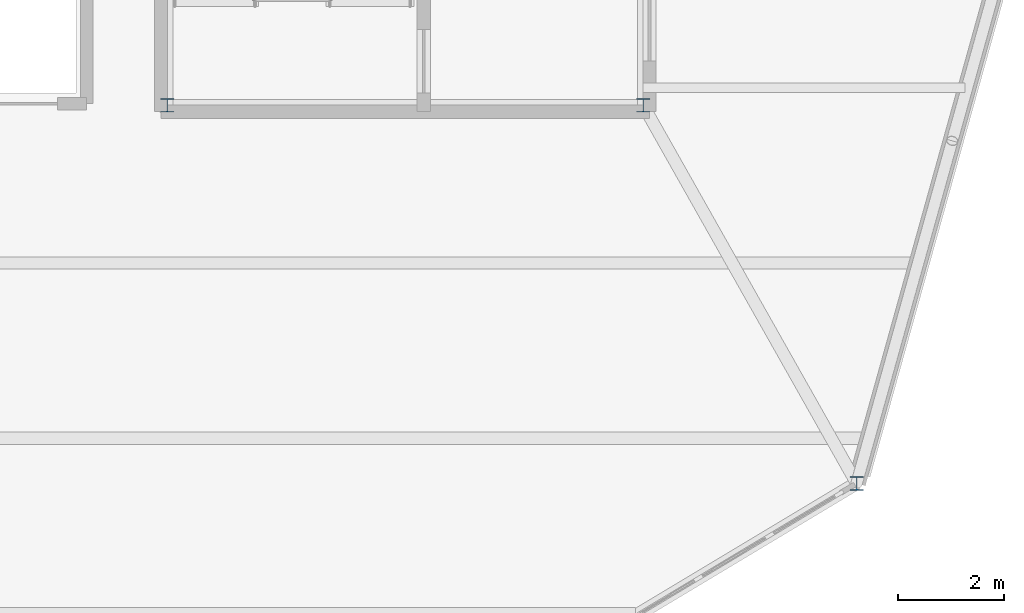
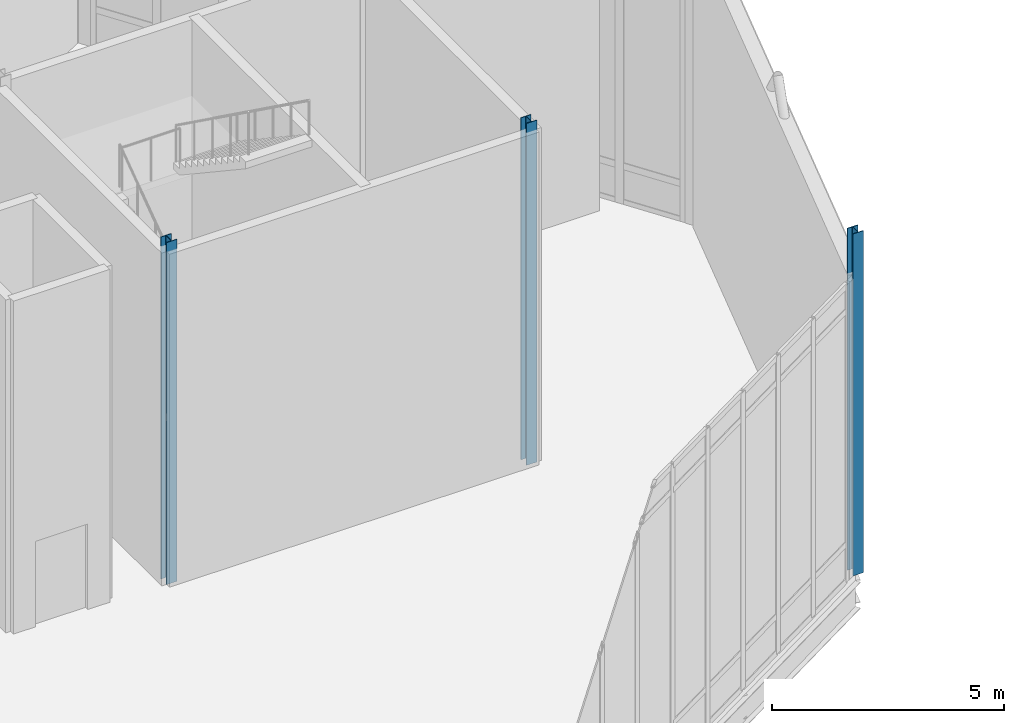
# One storey, part 6 of 66: 3 columns.
"""IFC4 building model written with IfcOpenShell, lengths in metres."""

import ifcopenshell
import ifcopenshell.guid

model = None  # the IFC model being written
_history = None  # IfcOwnerHistory: only IFC2X3 demands one
_inside = {}  # id of a spatial element -> (the spatial element, [elements in it])
_under = {}  # id of a project, library or spatial element -> (it, [spatial elements below it])
_declared = {}  # id of a project -> (the project, [libraries it declares])
_typed = {}  # id of a type object -> (the type object, [elements of that type])
_made_of = {}  # id of a material, layer set ... -> (it, [elements and type objects made of it])


def new_model(schema):
    """Start an empty IFC model of exactly this schema.

    Asked for "IFC4X3", IfcOpenShell would pick the latest addendum, in which some entities
    have other attributes; the version numbers below select the first issue.
    IFC2X3 requires an IfcOwnerHistory on every rooted entity: one is made here for all.
    """
    global model, _history
    if schema == "IFC4X3":
        model = ifcopenshell.file(schema_version=(4, 3, 0, 0))
    else:
        model = ifcopenshell.file(schema=schema)
    _inside.clear()
    _under.clear()
    _declared.clear()
    _typed.clear()
    _made_of.clear()
    _history = None
    if model.schema == "IFC2X3":
        org = make("IfcOrganization", Name="unknown")
        user = make(
            "IfcPersonAndOrganization",
            ThePerson=make("IfcPerson", FamilyName="unknown"),
            TheOrganization=org,
        )
        app = make(
            "IfcApplication",
            ApplicationDeveloper=org,
            Version="unknown",
            ApplicationFullName="unknown",
            ApplicationIdentifier="unknown",
        )
        _history = make(
            "IfcOwnerHistory",
            OwningUser=user,
            OwningApplication=app,
            ChangeAction="ADDED",
            CreationDate=0,
        )
    return model


def make(cls, **values):
    """One entity of the class cls with the attributes given. An attribute that is None is left unset."""
    return model.create_entity(
        cls, **{name: value for name, value in values.items() if value is not None}
    )


def rooted(cls, **values):
    """An entity with a GlobalId (a new one), such as an element, a storey or a relation."""
    return make(cls, GlobalId=ifcopenshell.guid.new(), OwnerHistory=_history, **values)


def si_unit(unit_type, name, prefix=None):
    """IfcSIUnit, for example si_unit("LENGTHUNIT", "METRE", prefix="MILLI")."""
    return make("IfcSIUnit", UnitType=unit_type, Prefix=prefix, Name=name)


def assignment(units):
    """IfcUnitAssignment: the units of a project."""
    return None if units is None else make("IfcUnitAssignment", Units=units)


def point(xyz):
    """IfcCartesianPoint."""
    return None if xyz is None else make("IfcCartesianPoint", Coordinates=xyz)


def direction(xyz):
    """IfcDirection."""
    return None if xyz is None else make("IfcDirection", DirectionRatios=xyz)


def frame(location, z_axis=None, x_axis=None):
    """IfcAxis2Placement3D, a coordinate frame: its origin and axes. An axis left out is left unset."""
    return make(
        "IfcAxis2Placement3D",
        Location=point(location),
        Axis=direction(z_axis),
        RefDirection=direction(x_axis),
    )


def frame_2d(location, x_axis=None):
    """IfcAxis2Placement2D, a coordinate frame in the plane: its origin and x axis."""
    return make(
        "IfcAxis2Placement2D", Location=point(location), RefDirection=direction(x_axis)
    )


def origin():
    """The frame at (0, 0, 0) with its axes left unset."""
    return frame((0.0, 0.0, 0.0))


def origin_2d():
    """The frame at (0, 0) in the plane with its x axis left unset."""
    return frame_2d((0.0, 0.0))


def place(relative_to, where):
    """IfcLocalPlacement: puts the frame where relative to a parent placement (None: the world)."""
    return make(
        "IfcLocalPlacement", PlacementRelTo=relative_to, RelativePlacement=where
    )


def context(
    kind, dimensions, precision=None, world=None, true_north=None, identifier=None
):
    """IfcGeometricRepresentationContext, for example the 3D "Model" context."""
    return make(
        "IfcGeometricRepresentationContext",
        ContextIdentifier=identifier,
        ContextType=kind,
        CoordinateSpaceDimension=dimensions,
        Precision=precision,
        WorldCoordinateSystem=world,
        TrueNorth=true_north,
    )


def subcontext(parent, identifier, kind, view, scale=None):
    """IfcGeometricRepresentationSubContext, for example "Body" below "Model"."""
    return make(
        "IfcGeometricRepresentationSubContext",
        ContextIdentifier=identifier,
        ContextType=kind,
        ParentContext=parent,
        TargetScale=scale,
        TargetView=view,
    )


def project(units=None, contexts=None):
    """IfcProject with its units and contexts."""
    return rooted(
        "IfcProject",
        Name="project",
        RepresentationContexts=contexts,
        UnitsInContext=assignment(units),
    )


def spatial(cls, under=None, at=None, **own):
    """A site, building, storey or space (cls), placed at a placement, below another one or the project."""
    s = rooted(cls, ObjectPlacement=at, **own)
    if under is not None:
        _under.setdefault(under.id(), (under, []))[1].append(s)
    return s


def profile(cls, at=None, kind="AREA", **sizes):
    """A parametric profile (cls). Its sizes go by their IFC names, for example OverallWidth=200.0."""
    return make(cls, ProfileType=kind, Position=at, **sizes)


def i_section(**sizes):
    """IfcIShapeProfileDef."""
    return profile("IfcIShapeProfileDef", **sizes)


def extrude(swept, where, along, depth):
    """IfcExtrudedAreaSolid: the profile swept, set in the frame where, extruded along a direction by depth."""
    return make(
        "IfcExtrudedAreaSolid",
        SweptArea=swept,
        Position=where,
        ExtrudedDirection=direction(along),
        Depth=depth,
    )


def shape(context_of_items, identifier, shape_type, items):
    """IfcShapeRepresentation: the items that make up one representation, for example the "Body"."""
    return make(
        "IfcShapeRepresentation",
        ContextOfItems=context_of_items,
        RepresentationIdentifier=identifier,
        RepresentationType=shape_type,
        Items=items,
    )


def material(Name=None, Category=None):
    """IfcMaterial."""
    return make("IfcMaterial", Name=Name, Category=Category)


def material_profile(
    of_material, cross_section, Name=None, Category=None, Priority=None
):
    """IfcMaterialProfile: a cross section and its material."""
    return make(
        "IfcMaterialProfile",
        Name=Name,
        Material=of_material,
        Profile=cross_section,
        Priority=Priority,
        Category=Category,
    )


def profile_set(profiles, Name=None, composite=None):
    """IfcMaterialProfileSet."""
    return make(
        "IfcMaterialProfileSet",
        Name=Name,
        MaterialProfiles=profiles,
        CompositeProfile=composite,
    )


def made_of(thing, what):
    """Note that an element or type object is made of a material, layer set ...; save() writes the relation."""
    if what is not None:
        _made_of.setdefault(what.id(), (what, []))[1].append(thing)
    return thing


def type_object(cls, material=None, **own):
    """A type object (cls), such as IfcWallType, which elements share."""
    return made_of(rooted(cls, **own), material)


def element(
    cls,
    number,
    at=None,
    inside=None,
    cuts=None,
    type_object=None,
    material=None,
    context=None,
    identifier="Body",
    shape_type=None,
    held_by="IfcProductDefinitionShape",
    body=None,
    shapes=None,
    **own,
):
    """One element of the class cls, such as IfcWall. Its Tag is "e" and its number.

    at: its placement. inside: the storey or other place that contains it. cuts: it is an
    opening in that element (IfcRelVoidsElement). A single representation is given by context,
    identifier, shape_type and body (its items); several are given by shapes. held_by: the class
    of the entity that holds the representations. save() writes the other relations.
    """
    e = rooted(cls, Tag="e%d" % number, ObjectPlacement=at, **own)
    if body is not None:
        shapes = [shape(context, identifier, shape_type, body)]
    if shapes is not None:
        e.Representation = make(held_by, Representations=shapes)
    if inside is not None:
        _inside.setdefault(inside.id(), (inside, []))[1].append(e)
    if cuts is not None:
        rooted(
            "IfcRelVoidsElement", RelatingBuildingElement=cuts, RelatedOpeningElement=e
        )
    if type_object is not None:
        _typed.setdefault(type_object.id(), (type_object, []))[1].append(e)
    return made_of(e, material)


def aggregate(whole, parts):
    """IfcRelAggregates: a whole, such as a stair, and the parts it consists of."""
    return rooted("IfcRelAggregates", RelatingObject=whole, RelatedObjects=parts)


def save(model, path):
    """Write the relations noted so far, then the file.

    IfcRelAggregates (storeys below a building ...), IfcRelContainedInSpatialStructure (elements
    in a storey), IfcRelDefinesByType, IfcRelAssociatesMaterial and IfcRelDeclares: one each for
    every whole, place, type object, material and project.
    """
    for whole, parts in _under.values():
        aggregate(whole, parts)
    for where, things in _inside.values():
        rooted(
            "IfcRelContainedInSpatialStructure",
            RelatedElements=things,
            RelatingStructure=where,
        )
    for kind, things in _typed.values():
        rooted("IfcRelDefinesByType", RelatedObjects=things, RelatingType=kind)
    for what, things in _made_of.values():
        rooted("IfcRelAssociatesMaterial", RelatedObjects=things, RelatingMaterial=what)
    for by, libraries in _declared.values():
        rooted("IfcRelDeclares", RelatingContext=by, RelatedDefinitions=libraries)
    model.write(path)


model = new_model("IFC4")

# Units and contexts
model_context = context("Model", 3, precision=1e-05, world=origin(), true_north=direction((0.0, 1.0)))
body_context = subcontext(model_context, "Body", "Model", "MODEL_VIEW")
ifc_project = project(units=[si_unit("LENGTHUNIT", "METRE"), si_unit("AREAUNIT", "SQUARE_METRE"), si_unit("VOLUMEUNIT", "CUBIC_METRE"), si_unit("PLANEANGLEUNIT", "RADIAN"), si_unit("MASSUNIT", "GRAM", prefix="KILO")], contexts=[model_context])

# Site, building, storey
site_placement = place(None, origin())
site = spatial("IfcSite", under=ifc_project, at=site_placement, CompositionType="ELEMENT")
building_placement = place(site_placement, origin())
building = spatial("IfcBuilding", under=site, at=building_placement, Name="Tameran Prism Museum", CompositionType="ELEMENT")
storey_placement = place(building_placement, frame((0.0, 0.0, 19.800048828125)))
storey = spatial("IfcBuildingStorey", under=building, at=storey_placement, Name="L04", CompositionType="ELEMENT", Elevation=19.800048828125)

# Columns
ifc_material = material(Name="Steel Grade 300PLUS (300 MPa)", Category="steel")
ifc_material_profile = material_profile(ifc_material, i_section(OverallWidth=0.256103515625, OverallDepth=0.260009765625, WebThickness=0.010498046875, FlangeThickness=0.017333984375, FilletRadius=0.0126953125, at=origin_2d()))
ifc_profile_set = profile_set([ifc_material_profile])
column_type = type_object("IfcColumnType", Name="COL-UC250A", PredefinedType="COLUMN", material=ifc_profile_set)
for number, where, z_axis, x_axis, name in (
    (1, (139.5, 72.300048828125, 0.0), (0.0, 0.0, 1.0), (1.0, 0.0, 0.0), "Column CV-57 L04"),
    (2, (126.52001953125, 79.419921875, 0.0), (0.0, 0.0, 1.0), (1.0, 0.0, 0.0), "Column CC-2-1 L04"),
    (3, (135.47998046875, 79.419921875, 0.0), (0.0, 0.0, 1.0), (1.0, 0.0, 0.0), "Column CC-2-2 L04"),
):
    element("IfcColumn", number, at=place(storey_placement, frame(where, z_axis=z_axis, x_axis=x_axis)), inside=storey, type_object=column_type, Name=name, PredefinedType="COLUMN", context=body_context, shape_type="SweptSolid", body=[
        extrude(i_section(OverallWidth=0.256103515625, OverallDepth=0.260009765625, WebThickness=0.010498046875, FlangeThickness=0.017333984375, FilletRadius=0.0126953125, at=origin_2d()), origin(), (0.0, 0.0, 1.0), 9.0),
    ])

save(model, "model.ifc")
